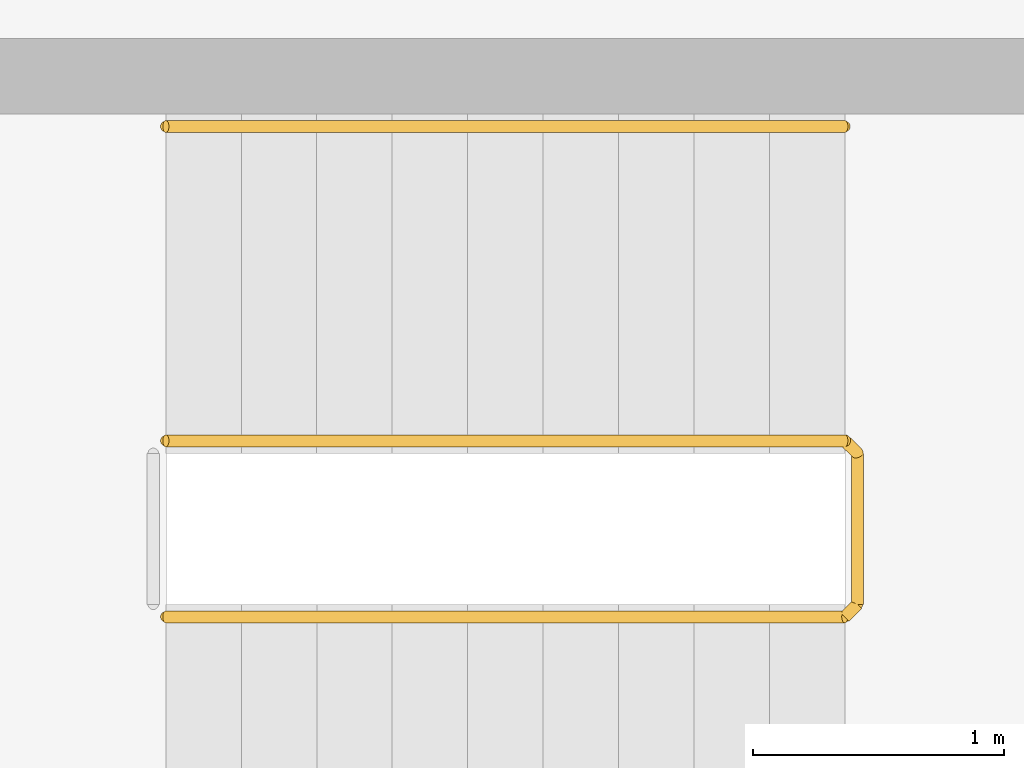
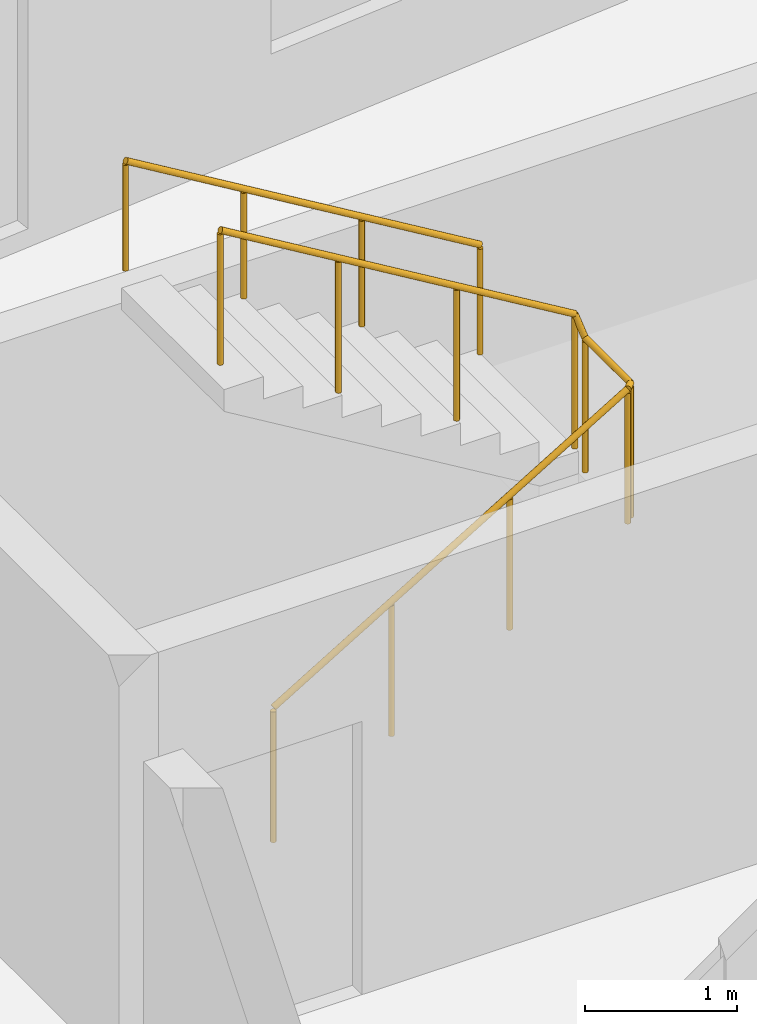
# One storey, part 12 of 12: 2 railings.
"""IFC4 building model written with IfcOpenShell, lengths in metres."""

from ifc_helpers import new_model, si_unit, direction, frame, origin, origin_2d, place, context, subcontext, project, spatial, circle, extrude, material, type_object, element, save


model = new_model("IFC4")

# Units and contexts
model_context = context("Model", 3, precision=1e-05, world=origin(), true_north=direction((0.0, 1.0)))
body_context = subcontext(model_context, "Body", "Model", "MODEL_VIEW")
ifc_project = project(units=[si_unit("LENGTHUNIT", "METRE"), si_unit("AREAUNIT", "SQUARE_METRE"), si_unit("VOLUMEUNIT", "CUBIC_METRE"), si_unit("PLANEANGLEUNIT", "RADIAN"), si_unit("MASSUNIT", "GRAM", prefix="KILO")], contexts=[model_context])

# Site, building, storey
site_placement = place(None, origin())
site = spatial("IfcSite", under=ifc_project, at=site_placement, CompositionType="ELEMENT")
building_placement = place(site_placement, origin())
building = spatial("IfcBuilding", under=site, at=building_placement, Name="Brondeck Convention Tower", CompositionType="ELEMENT")
storey_placement = place(building_placement, frame((0.0, 0.0, 55.5)))
storey = spatial("IfcBuildingStorey", under=building, at=storey_placement, Name="L11", CompositionType="ELEMENT", Elevation=55.5)

# Railings
ifc_material = material(Name="Steel S355", Category="steel")
railing_type_1 = type_object("IfcRailingType", Name="Stair guard 1100", PredefinedType="GUARDRAIL", material=ifc_material)
railing_1_placement = place(storey_placement, frame((37.85009765625, 55.449951171875, 0.179931640625)))
element("IfcRailing", 1, at=railing_1_placement, inside=storey, type_object=railing_type_1, Name="L11 ST-AE stair guard 1", PredefinedType="GUARDRAIL", context=body_context, shape_type="SweptSolid", body=[
    extrude(circle(Radius=0.02392578125, at=origin_2d()), frame((0.0, 0.0, 1.076171875), z_axis=(0.857472400752, 0.0, 0.514529962148), x_axis=(0.0, 1.0, 0.0)), (0.0, 0.0, 1.0), 3.148681640625),
    extrude(circle(Radius=0.02392578125, at=origin_2d()), frame((2.699951171875, 0.0, 2.6962890625), z_axis=(0.707106781187, 0.707106781187, 0.0), x_axis=(-0.707106781187, 0.707106781187, 0.0)), (0.0, 0.0, 1.0), 0.07080078125),
    extrude(circle(Radius=0.02392578125, at=origin_2d()), frame((2.75, 0.050048828125, 2.6962890625), z_axis=(0.0, 1.0, 0.0), x_axis=(-1.0, 0.0, 0.0)), (0.0, 0.0, 1.0), 0.60009765625),
    extrude(circle(Radius=0.02392578125, at=origin_2d()), frame((2.75, 0.650146484375, 2.6962890625), z_axis=(-0.258932105505, 0.257669022063, 0.930892496375), x_axis=(-0.705375805398, -0.708833529934, 0.0)), (0.0, 0.0, 1.0), 0.193359375),
    extrude(circle(Radius=0.02392578125, at=origin_2d()), frame((2.699951171875, 0.699951171875, 2.8759765625), z_axis=(-0.857472400752, 0.0, 0.514529962148), x_axis=(0.0, -1.0, 0.0)), (0.0, 0.0, 1.0), 3.148681640625),
    extrude(circle(Radius=0.02099609375, at=origin_2d()), origin(), (0.0, 0.0, 1.0), 1.052001953125),
    extrude(circle(Radius=0.02099609375, at=origin_2d()), frame((0.89990234375, 0.0, 0.5400390625)), (0.0, 0.0, 1.0), 1.052001953125),
    extrude(circle(Radius=0.02099609375, at=origin_2d()), frame((1.800048828125, 0.0, 1.080078125)), (0.0, 0.0, 1.0), 1.052001953125),
    extrude(circle(Radius=0.02099609375, at=origin_2d()), frame((2.699951171875, 0.0, 1.6201171875)), (0.0, 0.0, 1.0), 1.052001953125),
    extrude(circle(Radius=0.02099609375, at=origin_2d()), frame((2.75, 0.050048828125, 1.6201171875)), (0.0, 0.0, 1.0), 1.052001953125),
    extrude(circle(Radius=0.02099609375, at=origin_2d()), frame((2.75, 0.650146484375, 1.6201171875)), (0.0, 0.0, 1.0), 1.052001953125),
    extrude(circle(Radius=0.02099609375, at=origin_2d()), frame((2.699951171875, 0.699951171875, 1.800048828125)), (0.0, 0.0, 1.0), 1.052001953125),
    extrude(circle(Radius=0.02099609375, at=origin_2d()), frame((1.800048828125, 0.699951171875, 2.340087890625)), (0.0, 0.0, 1.0), 1.052001953125),
    extrude(circle(Radius=0.02099609375, at=origin_2d()), frame((0.89990234375, 0.699951171875, 2.880126953125)), (0.0, 0.0, 1.0), 1.052001953125),
    extrude(circle(Radius=0.02099609375, at=origin_2d()), frame((0.0, 0.699951171875, 3.420166015625)), (0.0, 0.0, 1.0), 1.052001953125),
])
railing_type_2 = type_object("IfcRailingType", Name="Stair handrail", PredefinedType="HANDRAIL", material=ifc_material)
railing_2_placement = place(storey_placement, frame((40.550048828125, 57.39990234375, 1.97998046875)))
element("IfcRailing", 2, at=railing_2_placement, inside=storey, type_object=railing_type_2, Name="L11 ST-AE stair handrail 2", PredefinedType="HANDRAIL", context=body_context, shape_type="SweptSolid", body=[
    extrude(circle(Radius=0.02392578125, at=origin_2d()), frame((0.0, 0.0, 0.8759765625), z_axis=(-0.857472400752, 0.0, 0.514529962148), x_axis=(0.0, -1.0, 0.0)), (0.0, 0.0, 1.0), 3.148681640625),
    extrude(circle(Radius=0.02099609375, at=origin_2d()), origin(), (0.0, 0.0, 1.0), 0.851806640625),
    extrude(circle(Radius=0.02099609375, at=origin_2d()), frame((-0.89990234375, 0.0, 0.5400390625)), (0.0, 0.0, 1.0), 0.851806640625),
    extrude(circle(Radius=0.02099609375, at=origin_2d()), frame((-1.800048828125, 0.0, 1.080078125)), (0.0, 0.0, 1.0), 0.851806640625),
    extrude(circle(Radius=0.02099609375, at=origin_2d()), frame((-2.699951171875, 0.0, 1.6201171875)), (0.0, 0.0, 1.0), 0.851806640625),
])

save(model, "model.ifc")
